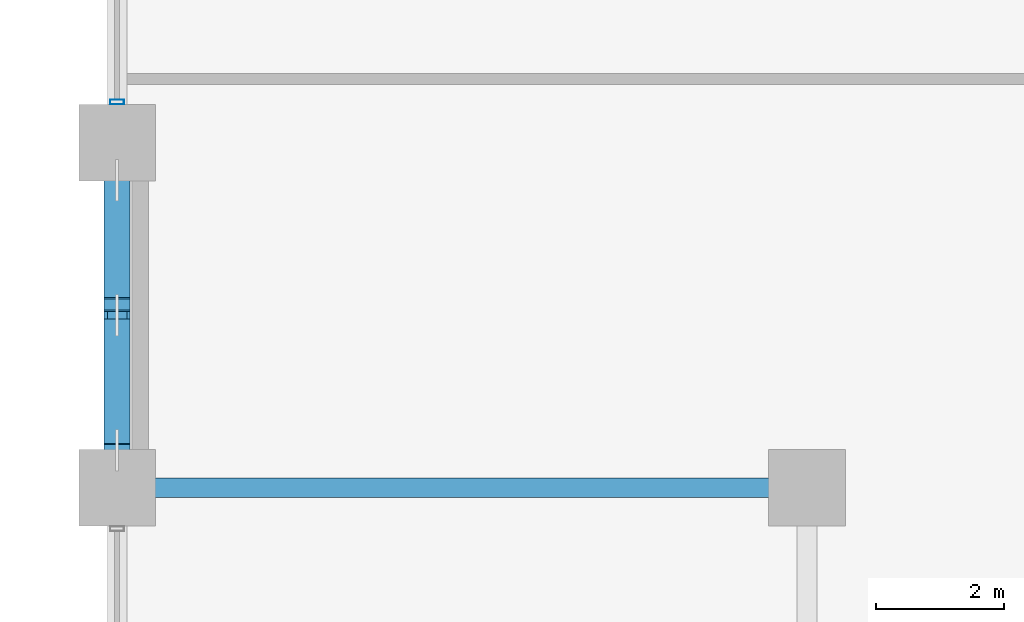
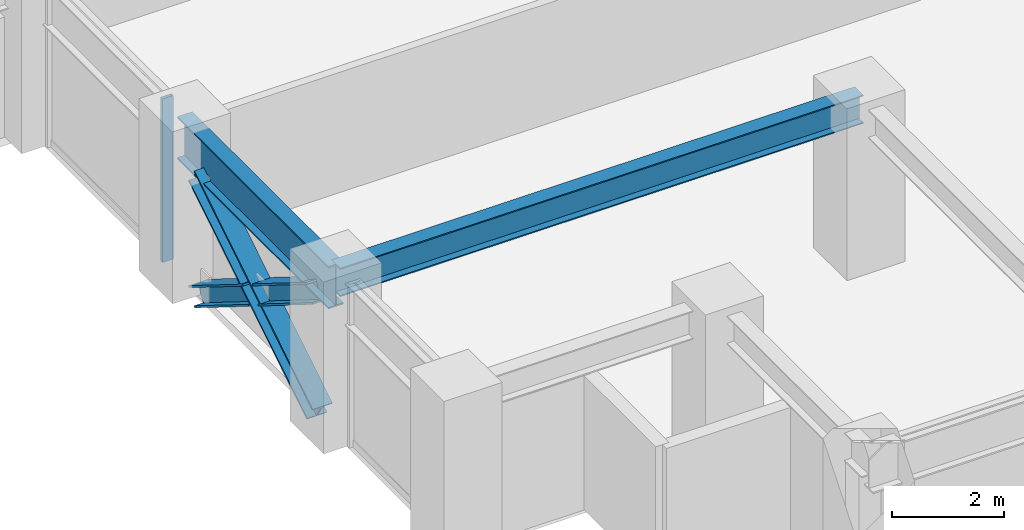
# One storey, part 3 of 27: 4 members, 2 beams, 1 element without a shape of its own.
"""IFC4 building model written with IfcOpenShell, lengths in metres."""

from ifc_helpers import new_model, si_unit, direction, frame, origin, origin_2d, place, context, subcontext, project, spatial, hollow_rectangle, i_section, extrude, material, layer, layer_set, material_profile, profile_set, type_object, element, aggregate, save


model = new_model("IFC4")

# Units and contexts
model_context = context("Model", 3, precision=1e-05, world=origin(), true_north=direction((0.0, 1.0)))
body_context = subcontext(model_context, "Body", "Model", "MODEL_VIEW")
ifc_project = project(units=[si_unit("LENGTHUNIT", "METRE"), si_unit("AREAUNIT", "SQUARE_METRE"), si_unit("VOLUMEUNIT", "CUBIC_METRE"), si_unit("PLANEANGLEUNIT", "RADIAN"), si_unit("MASSUNIT", "GRAM", prefix="KILO")], contexts=[model_context])

# Site, building, storey
site_placement = place(None, origin())
site = spatial("IfcSite", under=ifc_project, at=site_placement, CompositionType="ELEMENT")
building_placement = place(site_placement, origin())
building = spatial("IfcBuilding", under=site, at=building_placement, Name="Surkhivell Harbour Commons", CompositionType="ELEMENT")
storey_placement = place(building_placement, frame((0.0, 0.0, 56.25)))
storey = spatial("IfcBuildingStorey", under=building, at=storey_placement, Name="L14", CompositionType="ELEMENT", Elevation=56.25)

# Beams
ifc_material_1 = material(Name="Steel S355", Category="steel")
ifc_material_profile_1 = material_profile(ifc_material_1, i_section(OverallWidth=0.306884765625, OverallDepth=0.6201171875, WebThickness=0.01416015625, FlangeThickness=0.023681640625, at=origin_2d()), Name="UB610x305x179")
ifc_profile_set_1 = profile_set([ifc_material_profile_1], Name="Steel S355")
beam_type_1 = type_object("IfcBeamType", Name="BM-GRD-610A", PredefinedType="BEAM", material=ifc_profile_set_1)
beam_1_placement = place(storey_placement, frame((-32.39990234375, -16.199951171875, 3.260009765625), z_axis=(1.0, 0.0, 0.0), x_axis=(0.0, 1.0, 0.0)))
element("IfcBeam", 1, at=beam_1_placement, inside=storey, type_object=beam_type_1, Name="L14 Floor Girder (-32.4,-16.2)", PredefinedType="BEAM", context=body_context, shape_type="SweptSolid", body=[
    extrude(i_section(OverallWidth=0.306884765625, OverallDepth=0.6201171875, WebThickness=0.01416015625, FlangeThickness=0.023681640625, at=origin_2d()), origin(), (0.0, 0.0, 1.0), 10.7998046875),
])
ifc_material_2 = material(Name="Steel S460", Category="steel")
ifc_material_profile_2 = material_profile(ifc_material_2, i_section(OverallWidth=0.30810546875, OverallDepth=0.927001953125, WebThickness=0.01953125, FlangeThickness=0.031982421875, at=origin_2d()), Name="UB914x305x289")
ifc_profile_set_2 = profile_set([ifc_material_profile_2], Name="Steel S460")
beam_type_2 = type_object("IfcBeamType", Name="BM-SPN-914B", PredefinedType="SPANDREL", material=ifc_profile_set_2)
beam_2_placement = place(storey_placement, frame((-32.39990234375, -16.199951171875, 3.1064453125), z_axis=(0.0, 1.0, 0.0), x_axis=(-1.0, 0.0, 0.0)))
element("IfcBeam", 2, at=beam_2_placement, inside=storey, type_object=beam_type_2, Name="L14 Tube Spandrel (-32.4,-16.2)", PredefinedType="SPANDREL", context=body_context, shape_type="SweptSolid", body=[
    extrude(i_section(OverallWidth=0.30810546875, OverallDepth=0.927001953125, WebThickness=0.01953125, FlangeThickness=0.031982421875, at=origin_2d()), origin(), (0.0, 0.0, 1.0), 5.39990234375),
])

# Curtain wall, member
ifc_material_3 = material(Name="Anodised pale-metal aluminium and insulated glazing", Category="aluminium")
ifc_layer = layer(ifc_material_3, 0.219970703125)
ifc_layer_set = layer_set([ifc_layer], Name="Anodised pale-metal aluminium and insulated glazing")
curtain_wall_type = type_object("IfcCurtainWallType", Name="CW-SYS-Z1", PredefinedType="NOTDEFINED", material=ifc_layer_set)
curtain_wall_placement = place(storey_placement, origin())
curtain_wall = element("IfcCurtainWall", 3, at=curtain_wall_placement, inside=storey, type_object=curtain_wall_type, Name="L14 Curtain Wall CW-L14-E12R1S2", PredefinedType="NOTDEFINED")
ifc_material_4 = material(Name="Anodised pale-metal aluminium alloy 6063-T6", Category="aluminium")
ifc_material_profile_3 = material_profile(ifc_material_4, hollow_rectangle(XDim=0.074951171875, YDim=0.219970703125, WallThickness=0.00390625, at=origin_2d()), Name="ALU-MULL-75x220")
ifc_profile_set_3 = profile_set([ifc_material_profile_3], Name="Anodised pale-metal aluminium alloy 6063-T6")
member_type_1 = type_object("IfcMemberType", Name="CWM-220", PredefinedType="MULLION", material=ifc_profile_set_3)
member_1_placement = place(storey_placement, frame((-32.39990234375, -10.160400390625, 0.0), z_axis=(0.0, 0.0, 1.0), x_axis=(0.0, 1.0, 0.0)))
member_1 = element("IfcMember", 4, at=member_1_placement, type_object=member_type_1, Name="CW-Z1 mullion 1", PredefinedType="MULLION", context=body_context, shape_type="SweptSolid", body=[
    extrude(hollow_rectangle(XDim=0.074951171875, YDim=0.219970703125, WallThickness=0.00390625, at=origin_2d()), origin(), (0.0, 0.0, 1.0), 3.570068359375),
])
aggregate(curtain_wall, [member_1])

# Members
ifc_material_profile_4 = material_profile(ifc_material_2, i_section(OverallWidth=0.406005859375, OverallDepth=0.416015625, WebThickness=0.026611328125, FlangeThickness=0.0390625, at=origin_2d()), Name="HD400x382")
ifc_profile_set_4 = profile_set([ifc_material_profile_4], Name="Steel S460")
member_type_2 = type_object("IfcMemberType", Name="MEM-BRC-HD382", PredefinedType="BRACE", material=ifc_profile_set_4)
member_2_placement = place(storey_placement, frame((-32.39990234375, -15.614990234375, 0.008056640625), z_axis=(0.0, 0.848432685315, 0.529303295369), x_axis=(-1.0, 0.0, 0.0)))
element("IfcMember", 5, at=member_2_placement, inside=storey, type_object=member_type_2, Name="L14 Perimeter Mega-Brace MB- 10", PredefinedType="BRACE", context=body_context, shape_type="SweptSolid", body=[
    extrude(i_section(OverallWidth=0.406005859375, OverallDepth=0.416015625, WebThickness=0.026611328125, FlangeThickness=0.0390625, at=origin_2d()), origin(), (0.0, 0.0, 1.0), 4.985595703125),
])
member_3_placement = place(storey_placement, frame((-32.39990234375, -11.385009765625, 0.008056640625), z_axis=(0.0, -0.848458555811, 0.529261824688), x_axis=(1.0, 0.0, 0.0)))
element("IfcMember", 6, at=member_3_placement, inside=storey, type_object=member_type_2, Name="L14 Perimeter Mega-Brace MB- 11", PredefinedType="BRACE", context=body_context, shape_type="SweptSolid", body=[
    extrude(i_section(OverallWidth=0.406005859375, OverallDepth=0.416015625, WebThickness=0.026611328125, FlangeThickness=0.0390625, at=origin_2d()), origin(), (0.0, 0.0, 1.0), 2.29296875),
])
member_4_placement = place(storey_placement, frame((-32.39990234375, -13.66943359375, 1.43310546875), z_axis=(0.0, -0.848410744023, 0.529338463958), x_axis=(1.0, 0.0, 0.0)))
element("IfcMember", 7, at=member_4_placement, inside=storey, type_object=member_type_2, Name="L14 Perimeter Mega-Brace MB- 12", PredefinedType="BRACE", context=body_context, shape_type="SweptSolid", body=[
    extrude(i_section(OverallWidth=0.406005859375, OverallDepth=0.416015625, WebThickness=0.026611328125, FlangeThickness=0.0390625, at=origin_2d()), origin(), (0.0, 0.0, 1.0), 2.293212890625),
])

save(model, "model.ifc")
